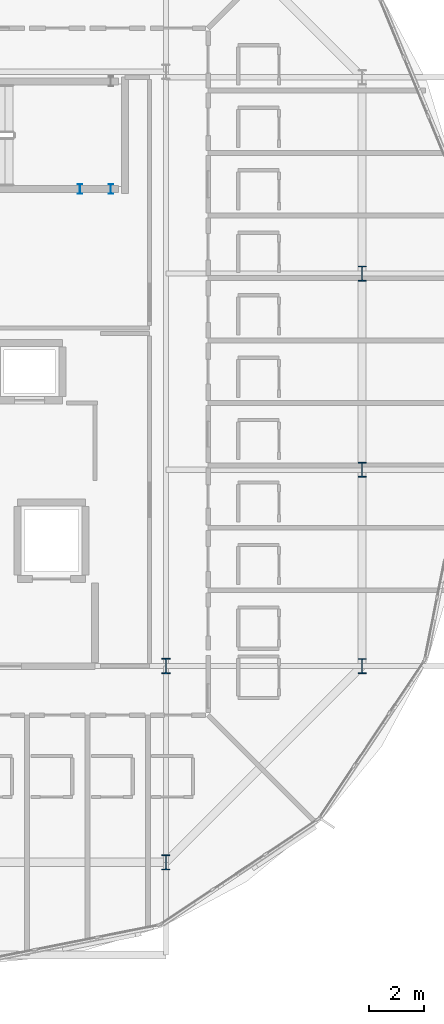
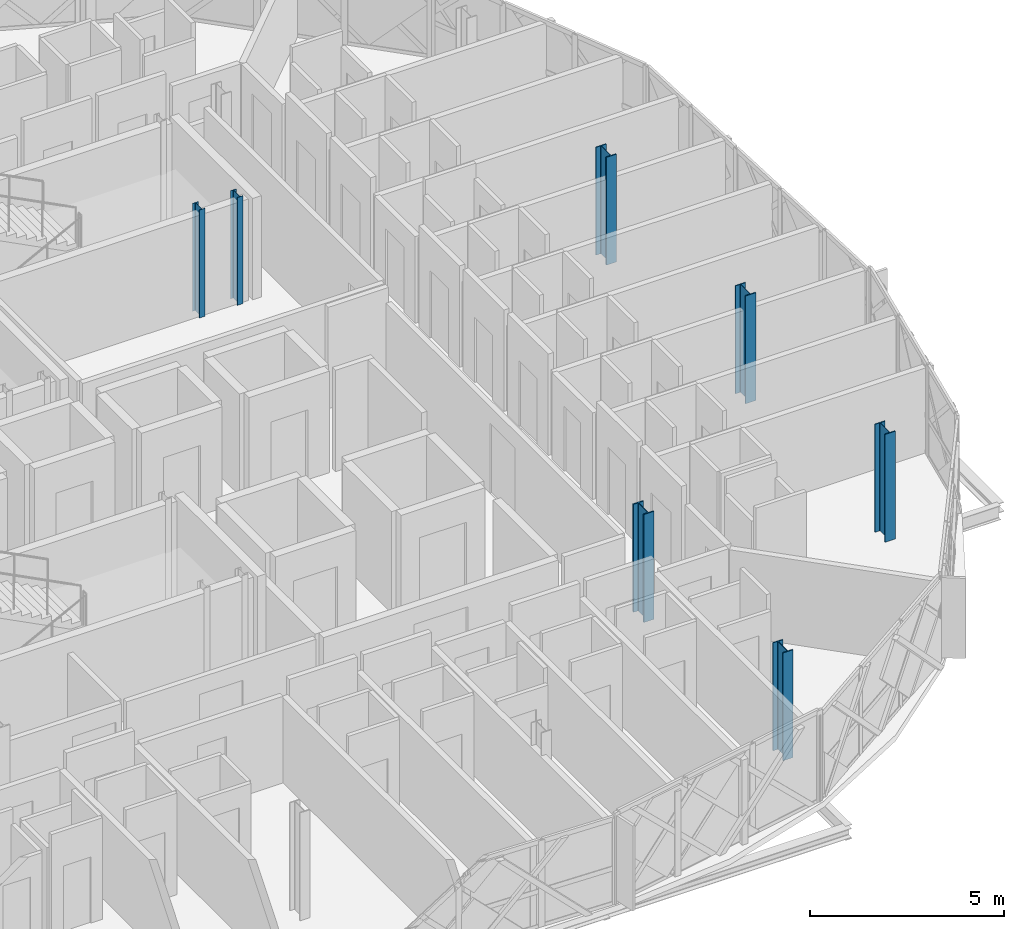
# One storey, part 2 of 50: 7 columns.
"""IFC4 building model written with IfcOpenShell, lengths in metres."""

from ifc_helpers import new_model, si_unit, direction, frame, origin, origin_2d, place, context, subcontext, project, spatial, i_section, extrude, material, material_profile, profile_set, type_object, element, save


model = new_model("IFC4")

# Units and contexts
model_context = context("Model", 3, precision=1e-05, world=origin(), true_north=direction((0.0, 1.0)))
body_context = subcontext(model_context, "Body", "Model", "MODEL_VIEW")
ifc_project = project(units=[si_unit("LENGTHUNIT", "METRE"), si_unit("AREAUNIT", "SQUARE_METRE"), si_unit("VOLUMEUNIT", "CUBIC_METRE"), si_unit("PLANEANGLEUNIT", "RADIAN"), si_unit("MASSUNIT", "GRAM", prefix="KILO")], contexts=[model_context])

# Site, building, storey
site_placement = place(None, origin())
site = spatial("IfcSite", under=ifc_project, at=site_placement, CompositionType="ELEMENT")
building_placement = place(site_placement, origin())
building = spatial("IfcBuilding", under=site, at=building_placement, Name="Zevrakil Square Congress Hotel", CompositionType="ELEMENT")
storey_placement = place(building_placement, frame((0.0, 0.0, 21.5)))
storey = spatial("IfcBuildingStorey", under=building, at=storey_placement, Name="L06", CompositionType="ELEMENT", Elevation=21.5)

# Columns
ifc_material_1 = material(Name="Steel S355", Category="steel")
ifc_material_profile_1 = material_profile(ifc_material_1, i_section(OverallWidth=0.300048828125, OverallDepth=0.550048828125, WebThickness=0.014892578125, FlangeThickness=0.029052734375, FilletRadius=0.027099609375, at=origin_2d()), Name="HEB 550")
ifc_profile_set_1 = profile_set([ifc_material_profile_1], Name="Steel S355")
column_type_1 = type_object("IfcColumnType", Name="COL-HEB550", PredefinedType="COLUMN", material=ifc_profile_set_1)
for number, where, z_axis, x_axis, name in (
    (1, (156.0, 9.60009765625, 0.0), (0.0, 0.0, 1.0), (1.0, 0.0, 0.0), "L06 drum column DC04"),
    (2, (163.199951171875, 16.800048828125, 0.0), (0.0, 0.0, 1.0), (1.0, 0.0, 0.0), "L06 drum column DC05"),
    (3, (163.199951171875, 24.0, 0.0), (0.0, 0.0, 1.0), (1.0, 0.0, 0.0), "L06 drum column DC06"),
    (4, (163.199951171875, 31.199951171875, 0.0), (0.0, 0.0, 1.0), (1.0, 0.0, 0.0), "L06 drum column DC07"),
):
    element("IfcColumn", number, at=place(storey_placement, frame(where, z_axis=z_axis, x_axis=x_axis)), inside=storey, type_object=column_type_1, Name=name, PredefinedType="COLUMN", context=body_context, shape_type="SweptSolid", body=[
        extrude(i_section(OverallWidth=0.300048828125, OverallDepth=0.550048828125, WebThickness=0.014892578125, FlangeThickness=0.029052734375, FilletRadius=0.027099609375, at=origin_2d()), origin(), (0.0, 0.0, 1.0), 3.39990234375),
    ])
ifc_material_2 = material(Name="Steel S355", Category="steel")
ifc_material_profile_2 = material_profile(ifc_material_2, i_section(OverallWidth=0.305908203125, OverallDepth=0.572021484375, WebThickness=0.02099609375, FlangeThickness=0.0400390625, FilletRadius=0.027099609375, at=origin_2d()), Name="HEM 550")
ifc_profile_set_2 = profile_set([ifc_material_profile_2], Name="Steel S355")
column_type_2 = type_object("IfcColumnType", Name="COL-HEM550", PredefinedType="COLUMN", material=ifc_profile_set_2)
column_placement = place(storey_placement, frame((156.0, 16.800048828125, 0.0), z_axis=(0.0, 0.0, 1.0), x_axis=(1.0, 0.0, 0.0)))
element("IfcColumn", 5, at=column_placement, inside=storey, type_object=column_type_2, Name="L06 column C-222", PredefinedType="COLUMN", context=body_context, shape_type="SweptSolid", body=[
    extrude(i_section(OverallWidth=0.305908203125, OverallDepth=0.572021484375, WebThickness=0.02099609375, FlangeThickness=0.0400390625, FilletRadius=0.027099609375, at=origin_2d()), origin(), (0.0, 0.0, 1.0), 3.39990234375),
])
ifc_material_3 = material(Name="Steel S355", Category="steel")
ifc_material_profile_3 = material_profile(ifc_material_3, i_section(OverallWidth=0.169921875, OverallDepth=0.360107421875, WebThickness=0.008056640625, FlangeThickness=0.0126953125, FilletRadius=0.01806640625, at=origin_2d()), Name="IPE 360")
ifc_profile_set_3 = profile_set([ifc_material_profile_3], Name="Steel S355")
column_type_3 = type_object("IfcColumnType", Name="COL-PILASTER-SHS180", PredefinedType="PILASTER", material=ifc_profile_set_3)
for number, where, z_axis, x_axis, name in (
    (6, (152.85009765625, 34.300048828125, 0.0), (0.0, 0.0, 1.0), (1.0, 0.0, 0.0), "L06 ST03 stair shaft post 1"),
    (7, (153.97998046875, 34.300048828125, 0.0), (0.0, 0.0, 1.0), (1.0, 0.0, 0.0), "L06 ST03 stair shaft post 2"),
):
    element("IfcColumn", number, at=place(storey_placement, frame(where, z_axis=z_axis, x_axis=x_axis)), inside=storey, type_object=column_type_3, Name=name, PredefinedType="PILASTER", context=body_context, shape_type="SweptSolid", body=[
        extrude(i_section(OverallWidth=0.169921875, OverallDepth=0.360107421875, WebThickness=0.008056640625, FlangeThickness=0.0126953125, FilletRadius=0.01806640625, at=origin_2d()), origin(), (0.0, 0.0, 1.0), 3.39990234375),
    ])

save(model, "model.ifc")
